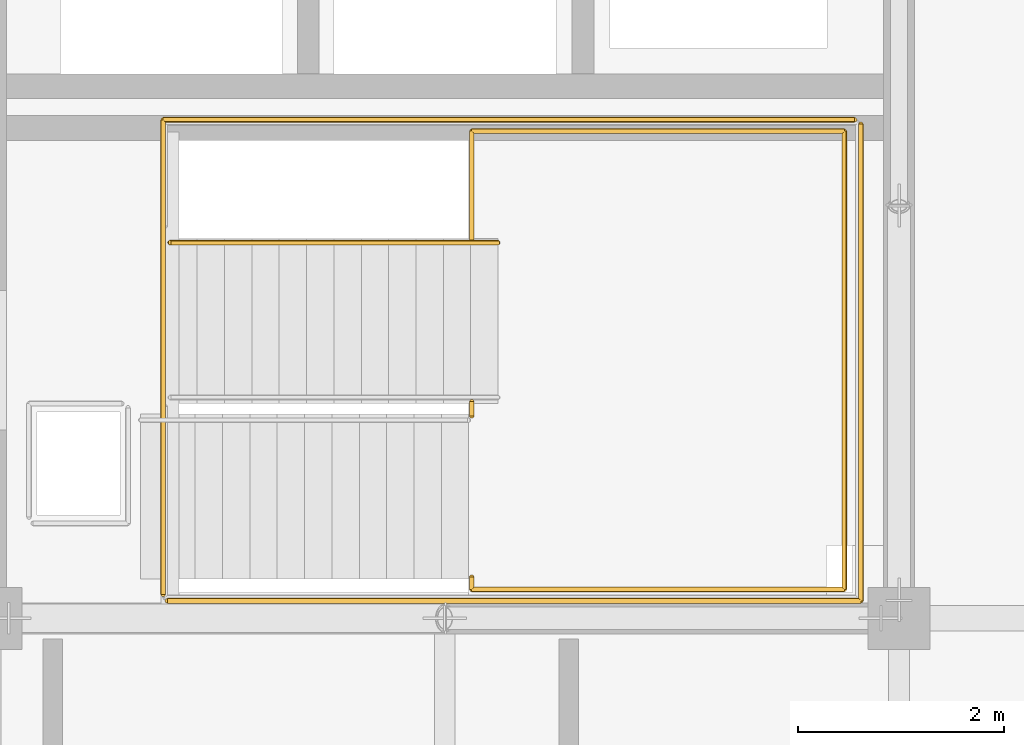
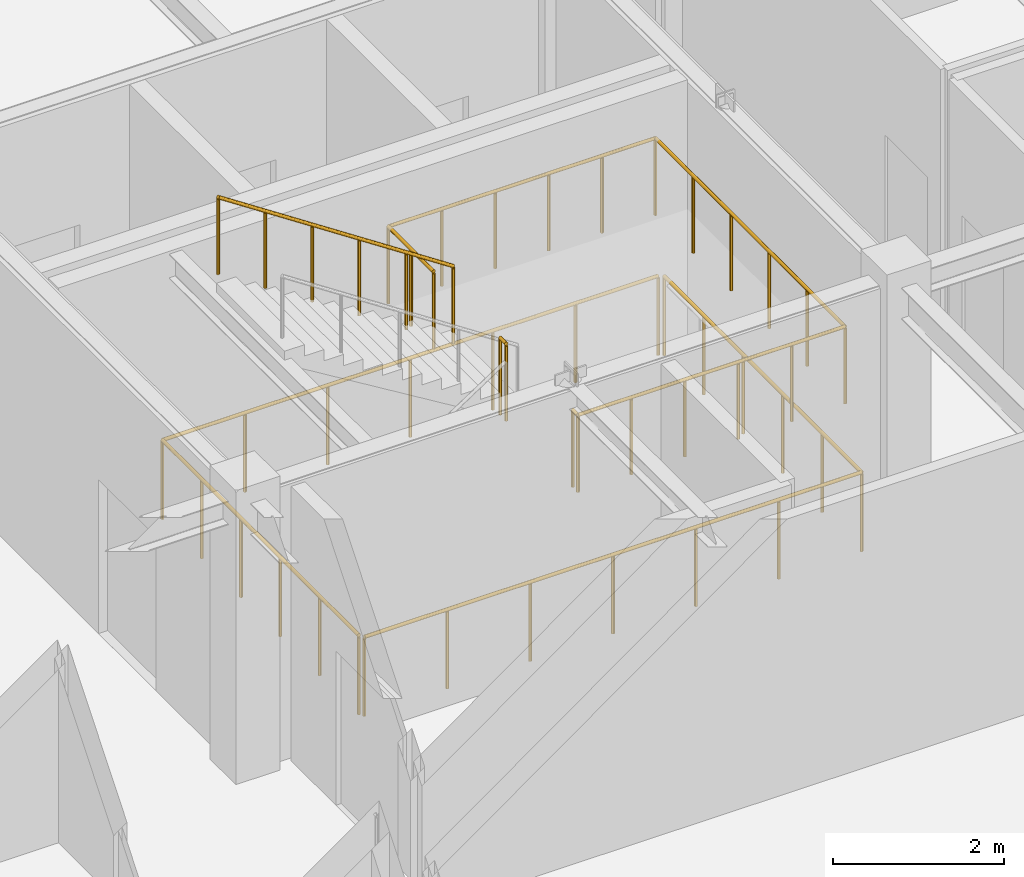
# One storey, part 11 of 13: 5 railings.
"""IFC4 building model written with IfcOpenShell, lengths in metres."""

from ifc_helpers import new_model, si_unit, direction, frame, origin, origin_2d, place, context, subcontext, project, spatial, circle, extrude, material, type_object, element, save


model = new_model("IFC4")

# Units and contexts
model_context = context("Model", 3, precision=1e-05, world=origin(), true_north=direction((0.0, 1.0)))
body_context = subcontext(model_context, "Body", "Model", "MODEL_VIEW")
ifc_project = project(units=[si_unit("LENGTHUNIT", "METRE"), si_unit("AREAUNIT", "SQUARE_METRE"), si_unit("VOLUMEUNIT", "CUBIC_METRE"), si_unit("PLANEANGLEUNIT", "RADIAN"), si_unit("MASSUNIT", "GRAM", prefix="KILO")], contexts=[model_context])

# Site, building, storey
site_placement = place(None, origin())
site = spatial("IfcSite", under=ifc_project, at=site_placement, CompositionType="ELEMENT")
building_placement = place(site_placement, origin())
building = spatial("IfcBuilding", under=site, at=building_placement, Name="Zhaolan Boulevard Law Courts", CompositionType="ELEMENT")
storey_placement = place(building_placement, frame((0.0, 0.0, 37.199951171875)))
storey = spatial("IfcBuildingStorey", under=building, at=storey_placement, Name="L08", CompositionType="ELEMENT", Elevation=37.199951171875)

# Railings
ifc_material_1 = material(Name="Powder-coated steel and tempered laminated glass", Category="steel")
railing_type_1 = type_object("IfcRailingType", Name="INTERIOR GUARDRAIL 1150", PredefinedType="GUARDRAIL", material=ifc_material_1)
railing_1_placement = place(storey_placement, frame((19.31005859375, 46.169921875, 0.0)))
element("IfcRailing", 1, at=railing_1_placement, inside=storey, type_object=railing_type_1, Name="Atrium Gallery Guardrail VG-8-V5-6A", PredefinedType="GUARDRAIL", context=body_context, shape_type="SweptSolid", body=[
    extrude(circle(Radius=0.02490234375, at=origin_2d()), frame((0.0, 0.0, 1.125), z_axis=(1.0, 0.0, 0.0), x_axis=(0.0, 1.0, 0.0)), (0.0, 0.0, 1.0), 6.719970703125),
    extrude(circle(Radius=0.02490234375, at=origin_2d()), frame((6.719970703125, 0.0, 1.125), z_axis=(0.0, 1.0, 0.0), x_axis=(-1.0, 0.0, 0.0)), (0.0, 0.0, 1.0), 4.6201171875),
    extrude(circle(Radius=0.02099609375, at=origin_2d()), origin(), (0.0, 0.0, 1.0), 1.099853515625),
    extrude(circle(Radius=0.02099609375, at=origin_2d()), frame((1.1201171875, 0.0, 0.0)), (0.0, 0.0, 1.0), 1.099853515625),
    extrude(circle(Radius=0.02099609375, at=origin_2d()), frame((2.239990234375, 0.0, 0.0)), (0.0, 0.0, 1.0), 1.099853515625),
    extrude(circle(Radius=0.02099609375, at=origin_2d()), frame((3.35986328125, 0.0, 0.0)), (0.0, 0.0, 1.0), 1.099853515625),
    extrude(circle(Radius=0.02099609375, at=origin_2d()), frame((4.47998046875, 0.0, 0.0)), (0.0, 0.0, 1.0), 1.099853515625),
    extrude(circle(Radius=0.02099609375, at=origin_2d()), frame((5.60009765625, 0.0, 0.0)), (0.0, 0.0, 1.0), 1.099853515625),
    extrude(circle(Radius=0.02099609375, at=origin_2d()), frame((6.719970703125, 0.0, 0.0)), (0.0, 0.0, 1.0), 1.099853515625),
    extrude(circle(Radius=0.02099609375, at=origin_2d()), frame((6.719970703125, 0.924072265625, 0.0)), (0.0, 0.0, 1.0), 1.099853515625),
    extrude(circle(Radius=0.02099609375, at=origin_2d()), frame((6.719970703125, 1.84814453125, 0.0)), (0.0, 0.0, 1.0), 1.099853515625),
    extrude(circle(Radius=0.02099609375, at=origin_2d()), frame((6.719970703125, 2.77197265625, 0.0)), (0.0, 0.0, 1.0), 1.099853515625),
    extrude(circle(Radius=0.02099609375, at=origin_2d()), frame((6.719970703125, 3.696044921875, 0.0)), (0.0, 0.0, 1.0), 1.099853515625),
    extrude(circle(Radius=0.02099609375, at=origin_2d()), frame((6.719970703125, 4.6201171875, 0.0)), (0.0, 0.0, 1.0), 1.099853515625),
])
railing_2_placement = place(storey_placement, frame((25.969970703125, 50.830078125, 0.0)))
element("IfcRailing", 2, at=railing_2_placement, inside=storey, type_object=railing_type_1, Name="Atrium Gallery Guardrail VG-8-V5-6B", PredefinedType="GUARDRAIL", context=body_context, shape_type="SweptSolid", body=[
    extrude(circle(Radius=0.02490234375, at=origin_2d()), frame((0.0, 0.0, 1.125), z_axis=(-1.0, 0.0, 0.0), x_axis=(0.0, -1.0, 0.0)), (0.0, 0.0, 1.0), 6.699951171875),
    extrude(circle(Radius=0.02490234375, at=origin_2d()), frame((-6.699951171875, 0.0, 1.125), z_axis=(0.0, -1.0, 0.0), x_axis=(1.0, 0.0, 0.0)), (0.0, 0.0, 1.0), 4.60009765625),
    extrude(circle(Radius=0.02099609375, at=origin_2d()), origin(), (0.0, 0.0, 1.0), 1.099853515625),
    extrude(circle(Radius=0.02099609375, at=origin_2d()), frame((-1.11669921875, 0.0, 0.0)), (0.0, 0.0, 1.0), 1.099853515625),
    extrude(circle(Radius=0.02099609375, at=origin_2d()), frame((-2.2333984375, 0.0, 0.0)), (0.0, 0.0, 1.0), 1.099853515625),
    extrude(circle(Radius=0.02099609375, at=origin_2d()), frame((-3.35009765625, 0.0, 0.0)), (0.0, 0.0, 1.0), 1.099853515625),
    extrude(circle(Radius=0.02099609375, at=origin_2d()), frame((-4.466552734375, 0.0, 0.0)), (0.0, 0.0, 1.0), 1.099853515625),
    extrude(circle(Radius=0.02099609375, at=origin_2d()), frame((-5.583251953125, 0.0, 0.0)), (0.0, 0.0, 1.0), 1.099853515625),
    extrude(circle(Radius=0.02099609375, at=origin_2d()), frame((-6.699951171875, 0.0, 0.0)), (0.0, 0.0, 1.0), 1.099853515625),
    extrude(circle(Radius=0.02099609375, at=origin_2d()), frame((-6.699951171875, -0.919921875, 0.0)), (0.0, 0.0, 1.0), 1.099853515625),
    extrude(circle(Radius=0.02099609375, at=origin_2d()), frame((-6.699951171875, -1.840087890625, 0.0)), (0.0, 0.0, 1.0), 1.099853515625),
    extrude(circle(Radius=0.02099609375, at=origin_2d()), frame((-6.699951171875, -2.760009765625, 0.0)), (0.0, 0.0, 1.0), 1.099853515625),
    extrude(circle(Radius=0.02099609375, at=origin_2d()), frame((-6.699951171875, -3.68017578125, 0.0)), (0.0, 0.0, 1.0), 1.099853515625),
    extrude(circle(Radius=0.02099609375, at=origin_2d()), frame((-6.699951171875, -4.60009765625, 0.0)), (0.0, 0.0, 1.0), 1.099853515625),
])
ifc_material_2 = material(Name="Powder-coated steel baluster guardrail", Category="steel")
railing_type_2 = type_object("IfcRailingType", Name="STAIR WELL GUARDRAIL 1120", PredefinedType="GUARDRAIL", material=ifc_material_2)
railing_3_placement = place(storey_placement, frame((22.260009765625, 46.39990234375, 2.10009765625)))
element("IfcRailing", 3, at=railing_3_placement, inside=storey, type_object=railing_type_2, Name="Half-Landing Guardrail SG-ST01-L08-M", PredefinedType="GUARDRAIL", context=body_context, shape_type="SweptSolid", body=[
    extrude(circle(Radius=0.02392578125, at=origin_2d()), frame((0.0, 0.0, 1.09619140625), z_axis=(0.0, -1.0, 0.0), x_axis=(1.0, 0.0, 0.0)), (0.0, 0.0, 1.0), 0.119873046875),
    extrude(circle(Radius=0.02392578125, at=origin_2d()), frame((0.0, -0.119873046875, 1.09619140625), z_axis=(1.0, 0.0, 0.0), x_axis=(0.0, 1.0, 0.0)), (0.0, 0.0, 1.0), 3.610107421875),
    extrude(circle(Radius=0.02392578125, at=origin_2d()), frame((3.610107421875, -0.119873046875, 1.09619140625), z_axis=(0.0, 1.0, 0.0), x_axis=(-1.0, 0.0, 0.0)), (0.0, 0.0, 1.0), 4.43994140625),
    extrude(circle(Radius=0.02392578125, at=origin_2d()), frame((3.610107421875, 4.320068359375, 1.09619140625), z_axis=(-1.0, 0.0, 0.0), x_axis=(0.0, -1.0, 0.0)), (0.0, 0.0, 1.0), 3.610107421875),
    extrude(circle(Radius=0.02392578125, at=origin_2d()), frame((0.0, 4.320068359375, 1.09619140625), z_axis=(0.0, -1.0, 0.0), x_axis=(1.0, 0.0, 0.0)), (0.0, 0.0, 1.0), 1.06005859375),
    extrude(circle(Radius=0.02099609375, at=origin_2d()), origin(), (0.0, 0.0, 1.0), 1.072021484375),
    extrude(circle(Radius=0.02099609375, at=origin_2d()), frame((0.0, -0.119873046875, 0.0)), (0.0, 0.0, 1.0), 1.072021484375),
    extrude(circle(Radius=0.02099609375, at=origin_2d()), frame((0.721923828125, -0.119873046875, 0.0)), (0.0, 0.0, 1.0), 1.072021484375),
    extrude(circle(Radius=0.02099609375, at=origin_2d()), frame((1.444091796875, -0.119873046875, 0.0)), (0.0, 0.0, 1.0), 1.072021484375),
    extrude(circle(Radius=0.02099609375, at=origin_2d()), frame((2.166015625, -0.119873046875, 0.0)), (0.0, 0.0, 1.0), 1.072021484375),
    extrude(circle(Radius=0.02099609375, at=origin_2d()), frame((2.88818359375, -0.119873046875, 0.0)), (0.0, 0.0, 1.0), 1.072021484375),
    extrude(circle(Radius=0.02099609375, at=origin_2d()), frame((3.610107421875, -0.119873046875, 0.0)), (0.0, 0.0, 1.0), 1.072021484375),
    extrude(circle(Radius=0.02099609375, at=origin_2d()), frame((3.610107421875, 0.76806640625, 0.0)), (0.0, 0.0, 1.0), 1.072021484375),
    extrude(circle(Radius=0.02099609375, at=origin_2d()), frame((3.610107421875, 1.656005859375, 0.0)), (0.0, 0.0, 1.0), 1.072021484375),
    extrude(circle(Radius=0.02099609375, at=origin_2d()), frame((3.610107421875, 2.544189453125, 0.0)), (0.0, 0.0, 1.0), 1.072021484375),
    extrude(circle(Radius=0.02099609375, at=origin_2d()), frame((3.610107421875, 3.43212890625, 0.0)), (0.0, 0.0, 1.0), 1.072021484375),
    extrude(circle(Radius=0.02099609375, at=origin_2d()), frame((3.610107421875, 4.320068359375, 0.0)), (0.0, 0.0, 1.0), 1.072021484375),
    extrude(circle(Radius=0.02099609375, at=origin_2d()), frame((2.88818359375, 4.320068359375, 0.0)), (0.0, 0.0, 1.0), 1.072021484375),
    extrude(circle(Radius=0.02099609375, at=origin_2d()), frame((2.166015625, 4.320068359375, 0.0)), (0.0, 0.0, 1.0), 1.072021484375),
    extrude(circle(Radius=0.02099609375, at=origin_2d()), frame((1.444091796875, 4.320068359375, 0.0)), (0.0, 0.0, 1.0), 1.072021484375),
    extrude(circle(Radius=0.02099609375, at=origin_2d()), frame((0.721923828125, 4.320068359375, 0.0)), (0.0, 0.0, 1.0), 1.072021484375),
    extrude(circle(Radius=0.02099609375, at=origin_2d()), frame((0.0, 4.320068359375, 0.0)), (0.0, 0.0, 1.0), 1.072021484375),
    extrude(circle(Radius=0.02099609375, at=origin_2d()), frame((0.0, 3.7900390625, 0.0)), (0.0, 0.0, 1.0), 1.072021484375),
    extrude(circle(Radius=0.02099609375, at=origin_2d()), frame((0.0, 3.260009765625, 0.0)), (0.0, 0.0, 1.0), 1.072021484375),
])
railing_4_placement = place(storey_placement, frame((22.260009765625, 47.9599609375, 2.10009765625)))
element("IfcRailing", 4, at=railing_4_placement, inside=storey, type_object=railing_type_2, Name="Half-Landing Well Guardrail SG-ST01-L08-W", PredefinedType="GUARDRAIL", context=body_context, shape_type="SweptSolid", body=[
    extrude(circle(Radius=0.02392578125, at=origin_2d()), frame((0.0, 0.0, 1.09619140625), z_axis=(0.0, 1.0, 0.0), x_axis=(-1.0, 0.0, 0.0)), (0.0, 0.0, 1.0), 0.14013671875),
    extrude(circle(Radius=0.02099609375, at=origin_2d()), origin(), (0.0, 0.0, 1.0), 1.072021484375),
    extrude(circle(Radius=0.02099609375, at=origin_2d()), frame((0.0, 0.14013671875, 0.0)), (0.0, 0.0, 1.0), 1.072021484375),
])
railing_5_placement = place(storey_placement, frame((22.514892578125, 49.639892578125, 2.10009765625)))
element("IfcRailing", 5, at=railing_5_placement, inside=storey, type_object=railing_type_2, Name="Flight Guardrail SG-ST01-L08-F2", PredefinedType="GUARDRAIL", context=body_context, shape_type="SweptSolid", body=[
    extrude(circle(Radius=0.02392578125, at=origin_2d()), frame((0.0, 0.0, 1.09619140625), z_axis=(-0.834476838559, 0.0, 0.551043016387), x_axis=(0.0, -1.0, 0.0)), (0.0, 0.0, 1.0), 3.810791015625),
    extrude(circle(Radius=0.02099609375, at=origin_2d()), origin(), (0.0, 0.0, 1.0), 1.072021484375),
    extrude(circle(Radius=0.02099609375, at=origin_2d()), frame((-0.635986328125, 0.0, 0.419921875)), (0.0, 0.0, 1.0), 1.072021484375),
    extrude(circle(Radius=0.02099609375, at=origin_2d()), frame((-1.27197265625, 0.0, 0.83984375)), (0.0, 0.0, 1.0), 1.072021484375),
    extrude(circle(Radius=0.02099609375, at=origin_2d()), frame((-1.907958984375, 0.0, 1.260009765625)), (0.0, 0.0, 1.0), 1.072021484375),
    extrude(circle(Radius=0.02099609375, at=origin_2d()), frame((-2.5439453125, 0.0, 1.679931640625)), (0.0, 0.0, 1.0), 1.072021484375),
    extrude(circle(Radius=0.02099609375, at=origin_2d()), frame((-3.179931640625, 0.0, 2.099853515625)), (0.0, 0.0, 1.0), 1.072021484375),
])

save(model, "model.ifc")
